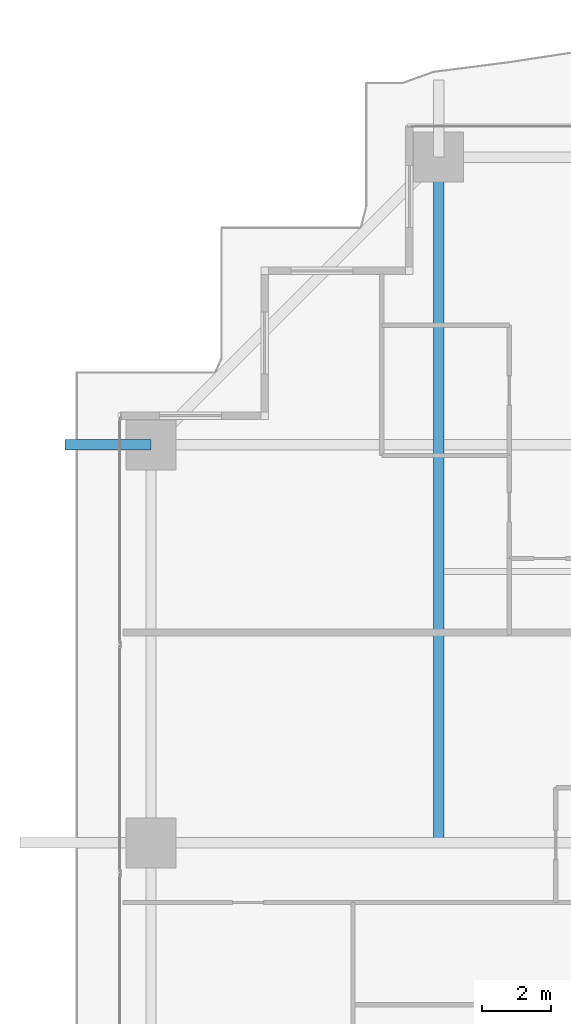
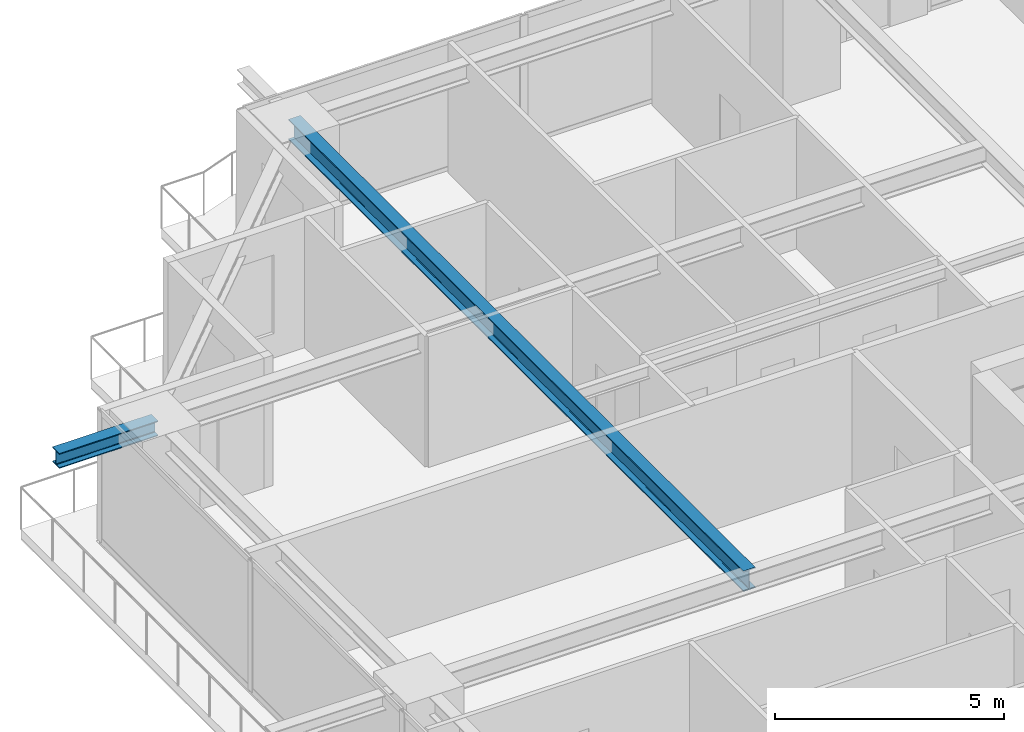
# One storey, part 17 of 39: 2 beams.
"""IFC4 building model written with IfcOpenShell, lengths in metres."""

from ifc_helpers import new_model, si_unit, direction, frame, origin, origin_2d, place, context, subcontext, project, spatial, i_section, extrude, source, transform, mapped, material, material_profile, profile_set, type_object, element, save


model = new_model("IFC4")

# Units and contexts
model_context = context("Model", 3, precision=1e-05, world=origin(), true_north=direction((0.0, 1.0)))
body_context = subcontext(model_context, "Body", "Model", "MODEL_VIEW")
ifc_project = project(units=[si_unit("LENGTHUNIT", "METRE"), si_unit("AREAUNIT", "SQUARE_METRE"), si_unit("VOLUMEUNIT", "CUBIC_METRE"), si_unit("PLANEANGLEUNIT", "RADIAN"), si_unit("MASSUNIT", "GRAM", prefix="KILO")], contexts=[model_context])

# Site, building, storey
site_placement = place(None, origin())
site = spatial("IfcSite", under=ifc_project, at=site_placement, CompositionType="ELEMENT")
building_placement = place(site_placement, origin())
building = spatial("IfcBuilding", under=site, at=building_placement, Name="Serunith Strait Residences", CompositionType="ELEMENT")
storey_placement = place(building_placement, frame((0.0, 0.0, 97.949951171875)))
storey = spatial("IfcBuildingStorey", under=building, at=storey_placement, Name="L24", CompositionType="ELEMENT", Elevation=97.949951171875)

# Beams
ifc_material = material(Name="Steel S355J2", Category="steel")
ifc_material_profile_1 = material_profile(ifc_material, i_section(OverallWidth=0.300048828125, OverallDepth=0.550048828125, WebThickness=0.014892578125, FlangeThickness=0.029052734375, FilletRadius=0.027099609375, at=origin_2d()), Name="HEB 550")
ifc_profile_set_1 = profile_set([ifc_material_profile_1], Name="Steel S355J2")
beam_type_1 = type_object("IfcBeamType", Name="BM-HEB550", PredefinedType="BEAM", material=ifc_profile_set_1)
shared_shape_1 = source(origin(), body_context, "Body", "SweptSolid", [
    extrude(i_section(OverallWidth=0.300048828125, OverallDepth=0.550048828125, WebThickness=0.014892578125, FlangeThickness=0.029052734375, FilletRadius=0.027099609375, at=origin_2d()), origin(), (0.0, 0.0, 1.0), 19.900146484375),
])
beam_1_placement = place(storey_placement, frame((15.25, 29.39990234375, 3.212158203125), z_axis=(0.0, 1.0, 0.0), x_axis=(-1.0, 0.0, 0.0)))
element("IfcBeam", 1, at=beam_1_placement, inside=storey, type_object=beam_type_1, Name="L24 Orthogonal Corner Girder TC-N1", PredefinedType="BEAM", context=body_context, shape_type="MappedRepresentation", body=[
    mapped(shared_shape_1, transform((0.0, 0.0, 0.0), scale=1.0)),
])
ifc_material_profile_2 = material_profile(ifc_material, i_section(OverallWidth=0.300048828125, OverallDepth=0.39990234375, WebThickness=0.013427734375, FlangeThickness=0.02392578125, FilletRadius=0.027099609375, at=origin_2d()), Name="HEB 400")
ifc_profile_set_2 = profile_set([ifc_material_profile_2], Name="Steel S355J2")
beam_type_2 = type_object("IfcBeamType", Name="BM-HEB400", PredefinedType="BEAM", material=ifc_profile_set_2)
shared_shape_2 = source(origin(), body_context, "Body", "SweptSolid", [
    extrude(i_section(OverallWidth=0.300048828125, OverallDepth=0.39990234375, WebThickness=0.013427734375, FlangeThickness=0.02392578125, FilletRadius=0.027099609375, at=origin_2d()), origin(), (0.0, 0.0, 1.0), 2.49658203125),
])
beam_2_placement = place(storey_placement, frame((6.89990234375, 40.949951171875, 3.257080078125), z_axis=(-1.0, 0.0, 0.0), x_axis=(0.0, -1.0, 0.0)))
element("IfcBeam", 2, at=beam_2_placement, inside=storey, type_object=beam_type_2, Name="L25 Cantilevered Balcony Rib TC-W4", PredefinedType="BEAM", context=body_context, shape_type="MappedRepresentation", body=[
    mapped(shared_shape_2, transform((0.0, 0.0, 0.0), scale=1.0)),
])

save(model, "model.ifc")
